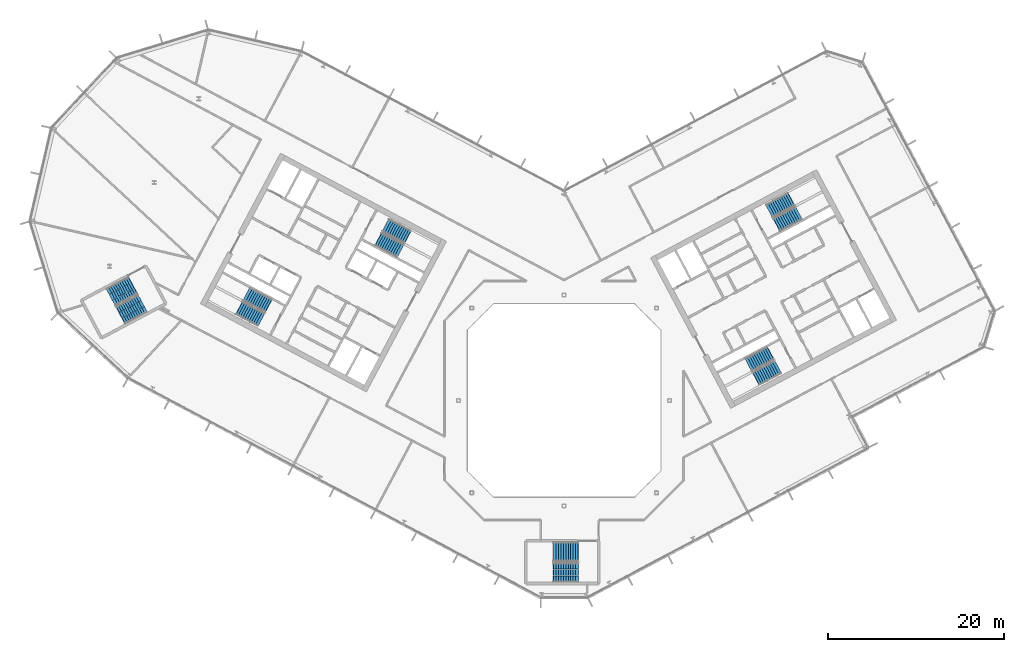
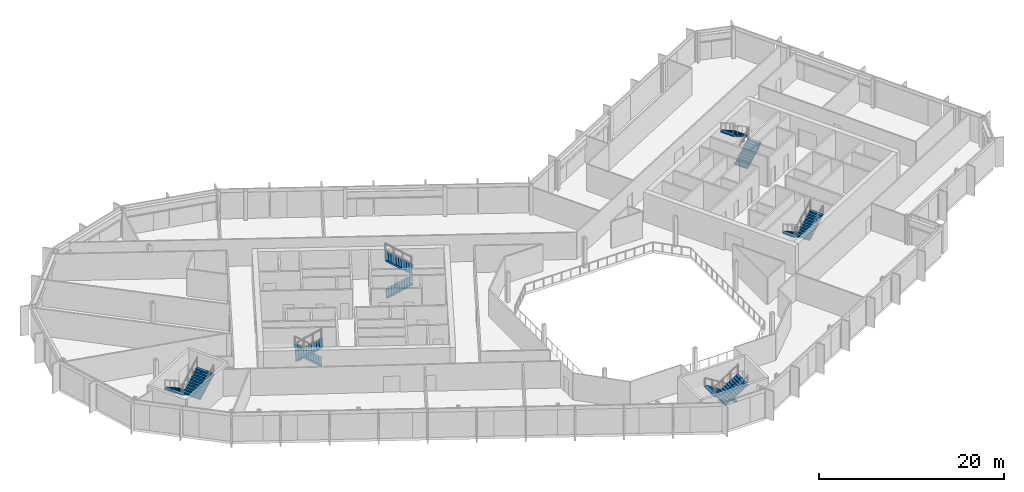
# One storey, part 17 of 26: 12 stair flights, 6 elements without a shape of their own.
"""IFC4 building model written with IfcOpenShell, lengths in metres."""

from ifc_helpers import new_model, si_unit, direction, frame, origin, place, context, subcontext, project, spatial, polyline, outline, extrude, material, type_object, element, aggregate, save


model = new_model("IFC4")

# Units and contexts
model_context = context("Model", 3, precision=1e-05, world=origin(), true_north=direction((0.0, 1.0)))
body_context = subcontext(model_context, "Body", "Model", "MODEL_VIEW")
ifc_project = project(units=[si_unit("LENGTHUNIT", "METRE"), si_unit("AREAUNIT", "SQUARE_METRE"), si_unit("VOLUMEUNIT", "CUBIC_METRE"), si_unit("PLANEANGLEUNIT", "RADIAN"), si_unit("MASSUNIT", "GRAM", prefix="KILO")], contexts=[model_context])

# Site, building, storey
site_placement = place(None, origin())
site = spatial("IfcSite", under=ifc_project, at=site_placement, CompositionType="ELEMENT")
building_placement = place(site_placement, origin())
building = spatial("IfcBuilding", under=site, at=building_placement, Name="Cormorant Relay Tower", CompositionType="ELEMENT")
storey_placement = place(building_placement, frame((0.0, 0.0, 220.800048828125)))
storey = spatial("IfcBuildingStorey", under=building, at=storey_placement, Name="L48", CompositionType="ELEMENT", Elevation=220.800048828125)

# Stair, stair flights
ifc_material_1 = material(Name="Concrete 40 MPa", Category="concrete")
stair_type_1 = type_object("IfcStairType", Name="Exit stair 1500", PredefinedType="HALF_TURN_STAIR", material=ifc_material_1)
stair_1_placement = place(storey_placement, origin())
stair_1 = element("IfcStair", 1, at=stair_1_placement, inside=storey, type_object=stair_type_1, Name="L48 Stair", PredefinedType="HALF_TURN_STAIR")
ifc_material_2 = material(Name="Concrete 40 MPa", Category="concrete")
stair_flight_type_1 = type_object("IfcStairFlightType", Name="Exit stair flight 1650", PredefinedType="STRAIGHT", material=ifc_material_2)
stair_flight_1_placement = place(storey_placement, frame((-21.114501953125, 18.33349609375, 0.0), z_axis=(0.0, 0.0, 1.0), x_axis=(0.882947592859, -0.469471562786, 0.0)))
stair_flight_1 = element("IfcStairFlight", 2, at=stair_flight_1_placement, type_object=stair_flight_type_1, Name="A1 flight 1", NumberOfRisers=11, NumberOfTreads=10, PredefinedType="STRAIGHT", RiserHeight=0.177272727, TreadLength=0.28, context=body_context, shape_type="SweptSolid", body=[
    extrude(outline(polyline([(-0.050048828125, -0.080078125), (-0.050048828125, 0.0), (0.0, 0.0), (0.0, 0.17724609375), (0.280029296875, 0.17724609375), (0.280029296875, 0.3544921875), (0.56005859375, 0.3544921875), (0.56005859375, 0.53173828125), (0.840087890625, 0.53173828125), (0.840087890625, 0.708984375), (1.1201171875, 0.708984375), (1.1201171875, 0.886474609375), (1.39990234375, 0.886474609375), (1.39990234375, 1.063720703125), (1.679931640625, 1.063720703125), (1.679931640625, 1.240966796875), (1.9599609375, 1.240966796875), (1.9599609375, 1.418212890625), (2.239990234375, 1.418212890625), (2.239990234375, 1.595458984375), (2.52001953125, 1.595458984375), (2.52001953125, 1.772705078125), (2.800048828125, 1.772705078125), (2.85009765625, 1.772705078125), (2.85009765625, 1.59521484375), (2.800048828125, 1.59521484375), (0.2802734375, 0.0), (-0.050048828125, -0.080078125)])), frame((0.0, 0.824951171875, 0.0), z_axis=(0.0, -1.0, 0.0), x_axis=(1.0, 0.0, 0.0)), (0.0, 0.0, 1.0), 1.64990234375),
])
stair_flight_2_placement = place(storey_placement, frame((-17.797119140625, 18.6083984375, 1.949951171875), z_axis=(0.0, 0.0, 1.0), x_axis=(-0.882947592859, 0.469471562786, 0.0)))
stair_flight_2 = element("IfcStairFlight", 3, at=stair_flight_2_placement, type_object=stair_flight_type_1, Name="A1 flight 2", NumberOfRisers=11, NumberOfTreads=10, PredefinedType="STRAIGHT", RiserHeight=0.177272727, TreadLength=0.28, context=body_context, shape_type="SweptSolid", body=[
    extrude(outline(polyline([(-0.050048828125, -0.080078125), (-0.050048828125, 0.0), (0.0, 0.0), (0.0, 0.17724609375), (0.280029296875, 0.17724609375), (0.280029296875, 0.3544921875), (0.56005859375, 0.3544921875), (0.56005859375, 0.53173828125), (0.840087890625, 0.53173828125), (0.840087890625, 0.708984375), (1.1201171875, 0.708984375), (1.1201171875, 0.886474609375), (1.39990234375, 0.886474609375), (1.39990234375, 1.063720703125), (1.679931640625, 1.063720703125), (1.679931640625, 1.240966796875), (1.9599609375, 1.240966796875), (1.9599609375, 1.418212890625), (2.239990234375, 1.418212890625), (2.239990234375, 1.595458984375), (2.52001953125, 1.595458984375), (2.52001953125, 1.772705078125), (2.800048828125, 1.772705078125), (2.85009765625, 1.772705078125), (2.85009765625, 1.59521484375), (2.800048828125, 1.59521484375), (0.2802734375, 0.0), (-0.050048828125, -0.080078125)])), frame((0.0, 0.824951171875, 0.0), z_axis=(0.0, -1.0, 0.0), x_axis=(1.0, 0.0, 0.0)), (0.0, 0.0, 1.0), 1.64990234375),
])
aggregate(stair_1, [stair_flight_1, stair_flight_2])

stair_2_placement = place(storey_placement, origin())
stair_2 = element("IfcStair", 4, at=stair_2_placement, inside=storey, type_object=stair_type_1, Name="L48 Stair", PredefinedType="HALF_TURN_STAIR")
stair_flight_3_placement = place(storey_placement, frame((-33.62841796875, 10.773681640625, 0.0), z_axis=(0.0, 0.0, 1.0), x_axis=(-0.882947592859, 0.469471562786, 0.0)))
stair_flight_3 = element("IfcStairFlight", 5, at=stair_flight_3_placement, type_object=stair_flight_type_1, Name="A2 flight 1", NumberOfRisers=11, NumberOfTreads=10, PredefinedType="STRAIGHT", RiserHeight=0.177272727, TreadLength=0.28, context=body_context, shape_type="SweptSolid", body=[
    extrude(outline(polyline([(-0.050048828125, -0.080078125), (-0.050048828125, 0.0), (0.0, 0.0), (0.0, 0.17724609375), (0.280029296875, 0.17724609375), (0.280029296875, 0.3544921875), (0.56005859375, 0.3544921875), (0.56005859375, 0.53173828125), (0.840087890625, 0.53173828125), (0.840087890625, 0.708984375), (1.1201171875, 0.708984375), (1.1201171875, 0.886474609375), (1.39990234375, 0.886474609375), (1.39990234375, 1.063720703125), (1.679931640625, 1.063720703125), (1.679931640625, 1.240966796875), (1.9599609375, 1.240966796875), (1.9599609375, 1.418212890625), (2.239990234375, 1.418212890625), (2.239990234375, 1.595458984375), (2.52001953125, 1.595458984375), (2.52001953125, 1.772705078125), (2.800048828125, 1.772705078125), (2.85009765625, 1.772705078125), (2.85009765625, 1.59521484375), (2.800048828125, 1.59521484375), (0.2802734375, 0.0), (-0.050048828125, -0.080078125)])), frame((0.0, 0.824951171875, 0.0), z_axis=(0.0, -1.0, 0.0), x_axis=(1.0, 0.0, 0.0)), (0.0, 0.0, 1.0), 1.64990234375),
])
stair_flight_4_placement = place(storey_placement, frame((-36.945556640625, 10.498779296875, 1.949951171875), z_axis=(0.0, 0.0, 1.0), x_axis=(0.882947592859, -0.469471562786, 0.0)))
stair_flight_4 = element("IfcStairFlight", 6, at=stair_flight_4_placement, type_object=stair_flight_type_1, Name="A2 flight 2", NumberOfRisers=11, NumberOfTreads=10, PredefinedType="STRAIGHT", RiserHeight=0.177272727, TreadLength=0.28, context=body_context, shape_type="SweptSolid", body=[
    extrude(outline(polyline([(-0.050048828125, -0.080078125), (-0.050048828125, 0.0), (0.0, 0.0), (0.0, 0.17724609375), (0.280029296875, 0.17724609375), (0.280029296875, 0.3544921875), (0.56005859375, 0.3544921875), (0.56005859375, 0.53173828125), (0.840087890625, 0.53173828125), (0.840087890625, 0.708984375), (1.1201171875, 0.708984375), (1.1201171875, 0.886474609375), (1.39990234375, 0.886474609375), (1.39990234375, 1.063720703125), (1.679931640625, 1.063720703125), (1.679931640625, 1.240966796875), (1.9599609375, 1.240966796875), (1.9599609375, 1.418212890625), (2.239990234375, 1.418212890625), (2.239990234375, 1.595458984375), (2.52001953125, 1.595458984375), (2.52001953125, 1.772705078125), (2.800048828125, 1.772705078125), (2.85009765625, 1.772705078125), (2.85009765625, 1.59521484375), (2.800048828125, 1.59521484375), (0.2802734375, 0.0), (-0.050048828125, -0.080078125)])), frame((0.0, 0.824951171875, 0.0), z_axis=(0.0, -1.0, 0.0), x_axis=(1.0, 0.0, 0.0)), (0.0, 0.0, 1.0), 1.64990234375),
])
aggregate(stair_2, [stair_flight_3, stair_flight_4])

stair_3_placement = place(storey_placement, origin())
stair_3 = element("IfcStair", 7, at=stair_3_placement, inside=storey, type_object=stair_type_1, Name="L48 Stair", PredefinedType="HALF_TURN_STAIR")
stair_flight_5_placement = place(storey_placement, frame((23.474365234375, 5.374755859375, 0.0), z_axis=(0.0, 0.0, 1.0), x_axis=(-0.882947592859, -0.469471562786, 0.0)))
stair_flight_5 = element("IfcStairFlight", 8, at=stair_flight_5_placement, type_object=stair_flight_type_1, Name="B1 flight 1", NumberOfRisers=11, NumberOfTreads=10, PredefinedType="STRAIGHT", RiserHeight=0.177272727, TreadLength=0.28, context=body_context, shape_type="SweptSolid", body=[
    extrude(outline(polyline([(-0.050048828125, -0.080078125), (-0.050048828125, 0.0), (0.0, 0.0), (0.0, 0.17724609375), (0.280029296875, 0.17724609375), (0.280029296875, 0.3544921875), (0.56005859375, 0.3544921875), (0.56005859375, 0.53173828125), (0.840087890625, 0.53173828125), (0.840087890625, 0.708984375), (1.1201171875, 0.708984375), (1.1201171875, 0.886474609375), (1.39990234375, 0.886474609375), (1.39990234375, 1.063720703125), (1.679931640625, 1.063720703125), (1.679931640625, 1.240966796875), (1.9599609375, 1.240966796875), (1.9599609375, 1.418212890625), (2.239990234375, 1.418212890625), (2.239990234375, 1.595458984375), (2.52001953125, 1.595458984375), (2.52001953125, 1.772705078125), (2.800048828125, 1.772705078125), (2.85009765625, 1.772705078125), (2.85009765625, 1.59521484375), (2.800048828125, 1.59521484375), (0.2802734375, 0.0), (-0.050048828125, -0.080078125)])), frame((0.0, 0.824951171875, 0.0), z_axis=(0.0, -1.0, 0.0), x_axis=(1.0, 0.0, 0.0)), (0.0, 0.0, 1.0), 1.64990234375),
])
stair_flight_6_placement = place(storey_placement, frame((21.84716796875, 2.470947265625, 1.949951171875), z_axis=(0.0, 0.0, 1.0), x_axis=(0.882947592859, 0.469471562786, 0.0)))
stair_flight_6 = element("IfcStairFlight", 9, at=stair_flight_6_placement, type_object=stair_flight_type_1, Name="B1 flight 2", NumberOfRisers=11, NumberOfTreads=10, PredefinedType="STRAIGHT", RiserHeight=0.177272727, TreadLength=0.28, context=body_context, shape_type="SweptSolid", body=[
    extrude(outline(polyline([(-0.050048828125, -0.080078125), (-0.050048828125, 0.0), (0.0, 0.0), (0.0, 0.17724609375), (0.280029296875, 0.17724609375), (0.280029296875, 0.3544921875), (0.56005859375, 0.3544921875), (0.56005859375, 0.53173828125), (0.840087890625, 0.53173828125), (0.840087890625, 0.708984375), (1.1201171875, 0.708984375), (1.1201171875, 0.886474609375), (1.39990234375, 0.886474609375), (1.39990234375, 1.063720703125), (1.679931640625, 1.063720703125), (1.679931640625, 1.240966796875), (1.9599609375, 1.240966796875), (1.9599609375, 1.418212890625), (2.239990234375, 1.418212890625), (2.239990234375, 1.595458984375), (2.52001953125, 1.595458984375), (2.52001953125, 1.772705078125), (2.800048828125, 1.772705078125), (2.85009765625, 1.772705078125), (2.85009765625, 1.59521484375), (2.800048828125, 1.59521484375), (0.2802734375, 0.0), (-0.050048828125, -0.080078125)])), frame((0.0, 0.824951171875, 0.0), z_axis=(0.0, -1.0, 0.0), x_axis=(1.0, 0.0, 0.0)), (0.0, 0.0, 1.0), 1.64990234375),
])
aggregate(stair_3, [stair_flight_5, stair_flight_6])

stair_4_placement = place(storey_placement, origin())
stair_4 = element("IfcStair", 10, at=stair_4_placement, inside=storey, type_object=stair_type_1, Name="L48 Stair", PredefinedType="HALF_TURN_STAIR")
stair_flight_7_placement = place(storey_placement, frame((24.20458984375, 19.976806640625, 0.0), z_axis=(0.0, 0.0, 1.0), x_axis=(0.882947592859, 0.469471562786, 0.0)))
stair_flight_7 = element("IfcStairFlight", 11, at=stair_flight_7_placement, type_object=stair_flight_type_1, Name="B2 flight 1", NumberOfRisers=11, NumberOfTreads=10, PredefinedType="STRAIGHT", RiserHeight=0.177272727, TreadLength=0.28, context=body_context, shape_type="SweptSolid", body=[
    extrude(outline(polyline([(-0.050048828125, -0.080078125), (-0.050048828125, 0.0), (0.0, 0.0), (0.0, 0.17724609375), (0.280029296875, 0.17724609375), (0.280029296875, 0.3544921875), (0.56005859375, 0.3544921875), (0.56005859375, 0.53173828125), (0.840087890625, 0.53173828125), (0.840087890625, 0.708984375), (1.1201171875, 0.708984375), (1.1201171875, 0.886474609375), (1.39990234375, 0.886474609375), (1.39990234375, 1.063720703125), (1.679931640625, 1.063720703125), (1.679931640625, 1.240966796875), (1.9599609375, 1.240966796875), (1.9599609375, 1.418212890625), (2.239990234375, 1.418212890625), (2.239990234375, 1.595458984375), (2.52001953125, 1.595458984375), (2.52001953125, 1.772705078125), (2.800048828125, 1.772705078125), (2.85009765625, 1.772705078125), (2.85009765625, 1.59521484375), (2.800048828125, 1.59521484375), (0.2802734375, 0.0), (-0.050048828125, -0.080078125)])), frame((0.0, 0.824951171875, 0.0), z_axis=(0.0, -1.0, 0.0), x_axis=(1.0, 0.0, 0.0)), (0.0, 0.0, 1.0), 1.64990234375),
])
stair_flight_8_placement = place(storey_placement, frame((25.831787109375, 22.880615234375, 1.949951171875), z_axis=(0.0, 0.0, 1.0), x_axis=(-0.882947592859, -0.469471562786, 0.0)))
stair_flight_8 = element("IfcStairFlight", 12, at=stair_flight_8_placement, type_object=stair_flight_type_1, Name="B2 flight 2", NumberOfRisers=11, NumberOfTreads=10, PredefinedType="STRAIGHT", RiserHeight=0.177272727, TreadLength=0.28, context=body_context, shape_type="SweptSolid", body=[
    extrude(outline(polyline([(-0.050048828125, -0.080078125), (-0.050048828125, 0.0), (0.0, 0.0), (0.0, 0.17724609375), (0.280029296875, 0.17724609375), (0.280029296875, 0.3544921875), (0.56005859375, 0.3544921875), (0.56005859375, 0.53173828125), (0.840087890625, 0.53173828125), (0.840087890625, 0.708984375), (1.1201171875, 0.708984375), (1.1201171875, 0.886474609375), (1.39990234375, 0.886474609375), (1.39990234375, 1.063720703125), (1.679931640625, 1.063720703125), (1.679931640625, 1.240966796875), (1.9599609375, 1.240966796875), (1.9599609375, 1.418212890625), (2.239990234375, 1.418212890625), (2.239990234375, 1.595458984375), (2.52001953125, 1.595458984375), (2.52001953125, 1.772705078125), (2.800048828125, 1.772705078125), (2.85009765625, 1.772705078125), (2.85009765625, 1.59521484375), (2.800048828125, 1.59521484375), (0.2802734375, 0.0), (-0.050048828125, -0.080078125)])), frame((0.0, 0.824951171875, 0.0), z_axis=(0.0, -1.0, 0.0), x_axis=(1.0, 0.0, 0.0)), (0.0, 0.0, 1.0), 1.64990234375),
])
aggregate(stair_4, [stair_flight_7, stair_flight_8])

ifc_material_3 = material(Name="Concrete 40 MPa", Category="concrete")
stair_type_2 = type_object("IfcStairType", Name="Remote exit stair 2200", PredefinedType="HALF_TURN_STAIR", material=ifc_material_3)
stair_5_placement = place(storey_placement, origin())
stair_5 = element("IfcStair", 13, at=stair_5_placement, inside=storey, type_object=stair_type_2, Name="L48 Stair", PredefinedType="HALF_TURN_STAIR")
ifc_material_4 = material(Name="Concrete 40 MPa", Category="concrete")
stair_flight_type_2 = type_object("IfcStairFlightType", Name="Remote exit stair flight 2200", PredefinedType="STRAIGHT", material=ifc_material_4)
stair_flight_9_placement = place(storey_placement, frame((1.60009765625, -17.22509765625, 0.0), z_axis=(0.0, 0.0, 1.0), x_axis=(-1.0, 0.0, 0.0)))
stair_flight_9 = element("IfcStairFlight", 14, at=stair_flight_9_placement, type_object=stair_flight_type_2, Name="RK1 flight 1", NumberOfRisers=11, NumberOfTreads=10, PredefinedType="STRAIGHT", RiserHeight=0.177272727, TreadLength=0.28, context=body_context, shape_type="SweptSolid", body=[
    extrude(outline(polyline([(-0.050048828125, -0.080078125), (-0.050048828125, 0.0), (0.0, 0.0), (0.0, 0.17724609375), (0.280029296875, 0.17724609375), (0.280029296875, 0.3544921875), (0.56005859375, 0.3544921875), (0.56005859375, 0.53173828125), (0.840087890625, 0.53173828125), (0.840087890625, 0.708984375), (1.1201171875, 0.708984375), (1.1201171875, 0.886474609375), (1.39990234375, 0.886474609375), (1.39990234375, 1.063720703125), (1.679931640625, 1.063720703125), (1.679931640625, 1.240966796875), (1.9599609375, 1.240966796875), (1.9599609375, 1.418212890625), (2.239990234375, 1.418212890625), (2.239990234375, 1.595458984375), (2.52001953125, 1.595458984375), (2.52001953125, 1.772705078125), (2.800048828125, 1.772705078125), (2.85009765625, 1.772705078125), (2.85009765625, 1.59521484375), (2.800048828125, 1.59521484375), (0.2802734375, 0.0), (-0.050048828125, -0.080078125)])), frame((0.0, 1.10009765625, 0.0), z_axis=(0.0, -1.0, 0.0), x_axis=(1.0, 0.0, 0.0)), (0.0, 0.0, 1.0), 0.719970703125),
    extrude(outline(polyline([(-0.050048828125, -0.080078125), (-0.050048828125, 0.0), (0.0, 0.0), (0.0, 0.17724609375), (0.280029296875, 0.17724609375), (0.280029296875, 0.3544921875), (0.56005859375, 0.3544921875), (0.56005859375, 0.53173828125), (0.840087890625, 0.53173828125), (0.840087890625, 0.708984375), (1.1201171875, 0.708984375), (1.1201171875, 0.886474609375), (1.39990234375, 0.886474609375), (1.39990234375, 1.063720703125), (1.679931640625, 1.063720703125), (1.679931640625, 1.240966796875), (1.9599609375, 1.240966796875), (1.9599609375, 1.418212890625), (2.239990234375, 1.418212890625), (2.239990234375, 1.595458984375), (2.52001953125, 1.595458984375), (2.52001953125, 1.772705078125), (2.800048828125, 1.772705078125), (2.85009765625, 1.772705078125), (2.85009765625, 1.59521484375), (2.800048828125, 1.59521484375), (0.2802734375, 0.0), (-0.050048828125, -0.080078125)])), frame((0.0, 0.360107421875, 0.0), z_axis=(0.0, -1.0, 0.0), x_axis=(1.0, 0.0, 0.0)), (0.0, 0.0, 1.0), 0.719970703125),
    extrude(outline(polyline([(-0.050048828125, -0.080078125), (-0.050048828125, 0.0), (0.0, 0.0), (0.0, 0.17724609375), (0.280029296875, 0.17724609375), (0.280029296875, 0.3544921875), (0.56005859375, 0.3544921875), (0.56005859375, 0.53173828125), (0.840087890625, 0.53173828125), (0.840087890625, 0.708984375), (1.1201171875, 0.708984375), (1.1201171875, 0.886474609375), (1.39990234375, 0.886474609375), (1.39990234375, 1.063720703125), (1.679931640625, 1.063720703125), (1.679931640625, 1.240966796875), (1.9599609375, 1.240966796875), (1.9599609375, 1.418212890625), (2.239990234375, 1.418212890625), (2.239990234375, 1.595458984375), (2.52001953125, 1.595458984375), (2.52001953125, 1.772705078125), (2.800048828125, 1.772705078125), (2.85009765625, 1.772705078125), (2.85009765625, 1.59521484375), (2.800048828125, 1.59521484375), (0.2802734375, 0.0), (-0.050048828125, -0.080078125)])), frame((0.0, -0.3798828125, 0.0), z_axis=(0.0, -1.0, 0.0), x_axis=(1.0, 0.0, 0.0)), (0.0, 0.0, 1.0), 0.719970703125),
])
stair_flight_10_placement = place(storey_placement, frame((-1.199951171875, -19.574951171875, 1.949951171875), z_axis=(0.0, 0.0, 1.0), x_axis=(1.0, 0.0, 0.0)))
stair_flight_10 = element("IfcStairFlight", 15, at=stair_flight_10_placement, type_object=stair_flight_type_2, Name="RK1 flight 2", NumberOfRisers=11, NumberOfTreads=10, PredefinedType="STRAIGHT", RiserHeight=0.177272727, TreadLength=0.28, context=body_context, shape_type="SweptSolid", body=[
    extrude(outline(polyline([(-0.050048828125, -0.080078125), (-0.050048828125, 0.0), (0.0, 0.0), (0.0, 0.17724609375), (0.280029296875, 0.17724609375), (0.280029296875, 0.3544921875), (0.56005859375, 0.3544921875), (0.56005859375, 0.53173828125), (0.840087890625, 0.53173828125), (0.840087890625, 0.708984375), (1.1201171875, 0.708984375), (1.1201171875, 0.886474609375), (1.39990234375, 0.886474609375), (1.39990234375, 1.063720703125), (1.679931640625, 1.063720703125), (1.679931640625, 1.240966796875), (1.9599609375, 1.240966796875), (1.9599609375, 1.418212890625), (2.239990234375, 1.418212890625), (2.239990234375, 1.595458984375), (2.52001953125, 1.595458984375), (2.52001953125, 1.772705078125), (2.800048828125, 1.772705078125), (2.85009765625, 1.772705078125), (2.85009765625, 1.59521484375), (2.800048828125, 1.59521484375), (0.2802734375, 0.0), (-0.050048828125, -0.080078125)])), frame((0.0, 1.10009765625, 0.0), z_axis=(0.0, -1.0, 0.0), x_axis=(1.0, 0.0, 0.0)), (0.0, 0.0, 1.0), 0.719970703125),
    extrude(outline(polyline([(-0.050048828125, -0.080078125), (-0.050048828125, 0.0), (0.0, 0.0), (0.0, 0.17724609375), (0.280029296875, 0.17724609375), (0.280029296875, 0.3544921875), (0.56005859375, 0.3544921875), (0.56005859375, 0.53173828125), (0.840087890625, 0.53173828125), (0.840087890625, 0.708984375), (1.1201171875, 0.708984375), (1.1201171875, 0.886474609375), (1.39990234375, 0.886474609375), (1.39990234375, 1.063720703125), (1.679931640625, 1.063720703125), (1.679931640625, 1.240966796875), (1.9599609375, 1.240966796875), (1.9599609375, 1.418212890625), (2.239990234375, 1.418212890625), (2.239990234375, 1.595458984375), (2.52001953125, 1.595458984375), (2.52001953125, 1.772705078125), (2.800048828125, 1.772705078125), (2.85009765625, 1.772705078125), (2.85009765625, 1.59521484375), (2.800048828125, 1.59521484375), (0.2802734375, 0.0), (-0.050048828125, -0.080078125)])), frame((0.0, 0.360107421875, 0.0), z_axis=(0.0, -1.0, 0.0), x_axis=(1.0, 0.0, 0.0)), (0.0, 0.0, 1.0), 0.719970703125),
    extrude(outline(polyline([(-0.050048828125, -0.080078125), (-0.050048828125, 0.0), (0.0, 0.0), (0.0, 0.17724609375), (0.280029296875, 0.17724609375), (0.280029296875, 0.3544921875), (0.56005859375, 0.3544921875), (0.56005859375, 0.53173828125), (0.840087890625, 0.53173828125), (0.840087890625, 0.708984375), (1.1201171875, 0.708984375), (1.1201171875, 0.886474609375), (1.39990234375, 0.886474609375), (1.39990234375, 1.063720703125), (1.679931640625, 1.063720703125), (1.679931640625, 1.240966796875), (1.9599609375, 1.240966796875), (1.9599609375, 1.418212890625), (2.239990234375, 1.418212890625), (2.239990234375, 1.595458984375), (2.52001953125, 1.595458984375), (2.52001953125, 1.772705078125), (2.800048828125, 1.772705078125), (2.85009765625, 1.772705078125), (2.85009765625, 1.59521484375), (2.800048828125, 1.59521484375), (0.2802734375, 0.0), (-0.050048828125, -0.080078125)])), frame((0.0, -0.3798828125, 0.0), z_axis=(0.0, -1.0, 0.0), x_axis=(1.0, 0.0, 0.0)), (0.0, 0.0, 1.0), 0.719970703125),
])
aggregate(stair_5, [stair_flight_9, stair_flight_10])

stair_6_placement = place(storey_placement, origin())
stair_6 = element("IfcStair", 16, at=stair_6_placement, inside=storey, type_object=stair_type_2, Name="L48 Stair", PredefinedType="HALF_TURN_STAIR")
stair_flight_11_placement = place(storey_placement, frame((-49.062255859375, 13.08251953125, 0.0), z_axis=(0.0, 0.0, 1.0), x_axis=(-0.882947502727, -0.4694717323, 0.0)))
stair_flight_11 = element("IfcStairFlight", 17, at=stair_flight_11_placement, type_object=stair_flight_type_2, Name="RP1 flight 1", NumberOfRisers=11, NumberOfTreads=10, PredefinedType="STRAIGHT", RiserHeight=0.177272727, TreadLength=0.28, context=body_context, shape_type="SweptSolid", body=[
    extrude(outline(polyline([(-0.050048828125, -0.080078125), (-0.050048828125, 0.0), (0.0, 0.0), (0.0, 0.17724609375), (0.280029296875, 0.17724609375), (0.280029296875, 0.3544921875), (0.56005859375, 0.3544921875), (0.56005859375, 0.53173828125), (0.840087890625, 0.53173828125), (0.840087890625, 0.708984375), (1.1201171875, 0.708984375), (1.1201171875, 0.886474609375), (1.39990234375, 0.886474609375), (1.39990234375, 1.063720703125), (1.679931640625, 1.063720703125), (1.679931640625, 1.240966796875), (1.9599609375, 1.240966796875), (1.9599609375, 1.418212890625), (2.239990234375, 1.418212890625), (2.239990234375, 1.595458984375), (2.52001953125, 1.595458984375), (2.52001953125, 1.772705078125), (2.800048828125, 1.772705078125), (2.85009765625, 1.772705078125), (2.85009765625, 1.59521484375), (2.800048828125, 1.59521484375), (0.2802734375, 0.0), (-0.050048828125, -0.080078125)])), frame((0.0, 1.10009765625, 0.0), z_axis=(0.0, -1.0, 0.0), x_axis=(1.0, 0.0, 0.0)), (0.0, 0.0, 1.0), 0.719970703125),
    extrude(outline(polyline([(-0.050048828125, -0.080078125), (-0.050048828125, 0.0), (0.0, 0.0), (0.0, 0.17724609375), (0.280029296875, 0.17724609375), (0.280029296875, 0.3544921875), (0.56005859375, 0.3544921875), (0.56005859375, 0.53173828125), (0.840087890625, 0.53173828125), (0.840087890625, 0.708984375), (1.1201171875, 0.708984375), (1.1201171875, 0.886474609375), (1.39990234375, 0.886474609375), (1.39990234375, 1.063720703125), (1.679931640625, 1.063720703125), (1.679931640625, 1.240966796875), (1.9599609375, 1.240966796875), (1.9599609375, 1.418212890625), (2.239990234375, 1.418212890625), (2.239990234375, 1.595458984375), (2.52001953125, 1.595458984375), (2.52001953125, 1.772705078125), (2.800048828125, 1.772705078125), (2.85009765625, 1.772705078125), (2.85009765625, 1.59521484375), (2.800048828125, 1.59521484375), (0.2802734375, 0.0), (-0.050048828125, -0.080078125)])), frame((0.0, 0.360107421875, 0.0), z_axis=(0.0, -1.0, 0.0), x_axis=(1.0, 0.0, 0.0)), (0.0, 0.0, 1.0), 0.719970703125),
    extrude(outline(polyline([(-0.050048828125, -0.080078125), (-0.050048828125, 0.0), (0.0, 0.0), (0.0, 0.17724609375), (0.280029296875, 0.17724609375), (0.280029296875, 0.3544921875), (0.56005859375, 0.3544921875), (0.56005859375, 0.53173828125), (0.840087890625, 0.53173828125), (0.840087890625, 0.708984375), (1.1201171875, 0.708984375), (1.1201171875, 0.886474609375), (1.39990234375, 0.886474609375), (1.39990234375, 1.063720703125), (1.679931640625, 1.063720703125), (1.679931640625, 1.240966796875), (1.9599609375, 1.240966796875), (1.9599609375, 1.418212890625), (2.239990234375, 1.418212890625), (2.239990234375, 1.595458984375), (2.52001953125, 1.595458984375), (2.52001953125, 1.772705078125), (2.800048828125, 1.772705078125), (2.85009765625, 1.772705078125), (2.85009765625, 1.59521484375), (2.800048828125, 1.59521484375), (0.2802734375, 0.0), (-0.050048828125, -0.080078125)])), frame((0.0, -0.3798828125, 0.0), z_axis=(0.0, -1.0, 0.0), x_axis=(1.0, 0.0, 0.0)), (0.0, 0.0, 1.0), 0.719970703125),
])
stair_flight_12_placement = place(storey_placement, frame((-50.431396484375, 9.693115234375, 1.949951171875), z_axis=(0.0, 0.0, 1.0), x_axis=(0.882947502727, 0.4694717323, 0.0)))
stair_flight_12 = element("IfcStairFlight", 18, at=stair_flight_12_placement, type_object=stair_flight_type_2, Name="RP1 flight 2", NumberOfRisers=11, NumberOfTreads=10, PredefinedType="STRAIGHT", RiserHeight=0.177272727, TreadLength=0.28, context=body_context, shape_type="SweptSolid", body=[
    extrude(outline(polyline([(-0.050048828125, -0.080078125), (-0.050048828125, 0.0), (0.0, 0.0), (0.0, 0.17724609375), (0.280029296875, 0.17724609375), (0.280029296875, 0.3544921875), (0.56005859375, 0.3544921875), (0.56005859375, 0.53173828125), (0.840087890625, 0.53173828125), (0.840087890625, 0.708984375), (1.1201171875, 0.708984375), (1.1201171875, 0.886474609375), (1.39990234375, 0.886474609375), (1.39990234375, 1.063720703125), (1.679931640625, 1.063720703125), (1.679931640625, 1.240966796875), (1.9599609375, 1.240966796875), (1.9599609375, 1.418212890625), (2.239990234375, 1.418212890625), (2.239990234375, 1.595458984375), (2.52001953125, 1.595458984375), (2.52001953125, 1.772705078125), (2.800048828125, 1.772705078125), (2.85009765625, 1.772705078125), (2.85009765625, 1.59521484375), (2.800048828125, 1.59521484375), (0.2802734375, 0.0), (-0.050048828125, -0.080078125)])), frame((0.0, 1.10009765625, 0.0), z_axis=(0.0, -1.0, 0.0), x_axis=(1.0, 0.0, 0.0)), (0.0, 0.0, 1.0), 0.719970703125),
    extrude(outline(polyline([(-0.050048828125, -0.080078125), (-0.050048828125, 0.0), (0.0, 0.0), (0.0, 0.17724609375), (0.280029296875, 0.17724609375), (0.280029296875, 0.3544921875), (0.56005859375, 0.3544921875), (0.56005859375, 0.53173828125), (0.840087890625, 0.53173828125), (0.840087890625, 0.708984375), (1.1201171875, 0.708984375), (1.1201171875, 0.886474609375), (1.39990234375, 0.886474609375), (1.39990234375, 1.063720703125), (1.679931640625, 1.063720703125), (1.679931640625, 1.240966796875), (1.9599609375, 1.240966796875), (1.9599609375, 1.418212890625), (2.239990234375, 1.418212890625), (2.239990234375, 1.595458984375), (2.52001953125, 1.595458984375), (2.52001953125, 1.772705078125), (2.800048828125, 1.772705078125), (2.85009765625, 1.772705078125), (2.85009765625, 1.59521484375), (2.800048828125, 1.59521484375), (0.2802734375, 0.0), (-0.050048828125, -0.080078125)])), frame((0.0, 0.360107421875, 0.0), z_axis=(0.0, -1.0, 0.0), x_axis=(1.0, 0.0, 0.0)), (0.0, 0.0, 1.0), 0.719970703125),
    extrude(outline(polyline([(-0.050048828125, -0.080078125), (-0.050048828125, 0.0), (0.0, 0.0), (0.0, 0.17724609375), (0.280029296875, 0.17724609375), (0.280029296875, 0.3544921875), (0.56005859375, 0.3544921875), (0.56005859375, 0.53173828125), (0.840087890625, 0.53173828125), (0.840087890625, 0.708984375), (1.1201171875, 0.708984375), (1.1201171875, 0.886474609375), (1.39990234375, 0.886474609375), (1.39990234375, 1.063720703125), (1.679931640625, 1.063720703125), (1.679931640625, 1.240966796875), (1.9599609375, 1.240966796875), (1.9599609375, 1.418212890625), (2.239990234375, 1.418212890625), (2.239990234375, 1.595458984375), (2.52001953125, 1.595458984375), (2.52001953125, 1.772705078125), (2.800048828125, 1.772705078125), (2.85009765625, 1.772705078125), (2.85009765625, 1.59521484375), (2.800048828125, 1.59521484375), (0.2802734375, 0.0), (-0.050048828125, -0.080078125)])), frame((0.0, -0.3798828125, 0.0), z_axis=(0.0, -1.0, 0.0), x_axis=(1.0, 0.0, 0.0)), (0.0, 0.0, 1.0), 0.719970703125),
])
aggregate(stair_6, [stair_flight_11, stair_flight_12])

save(model, "model.ifc")
